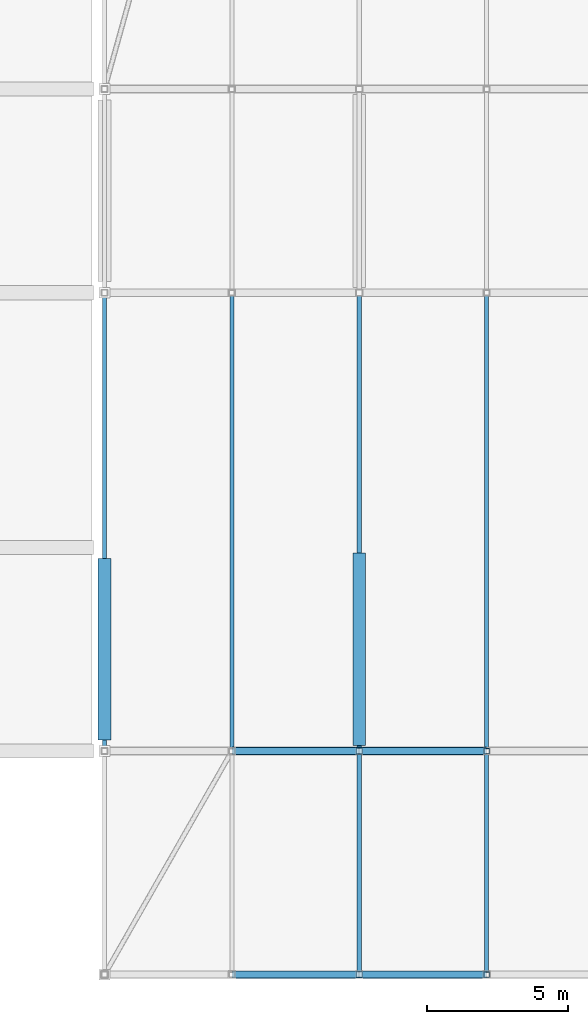
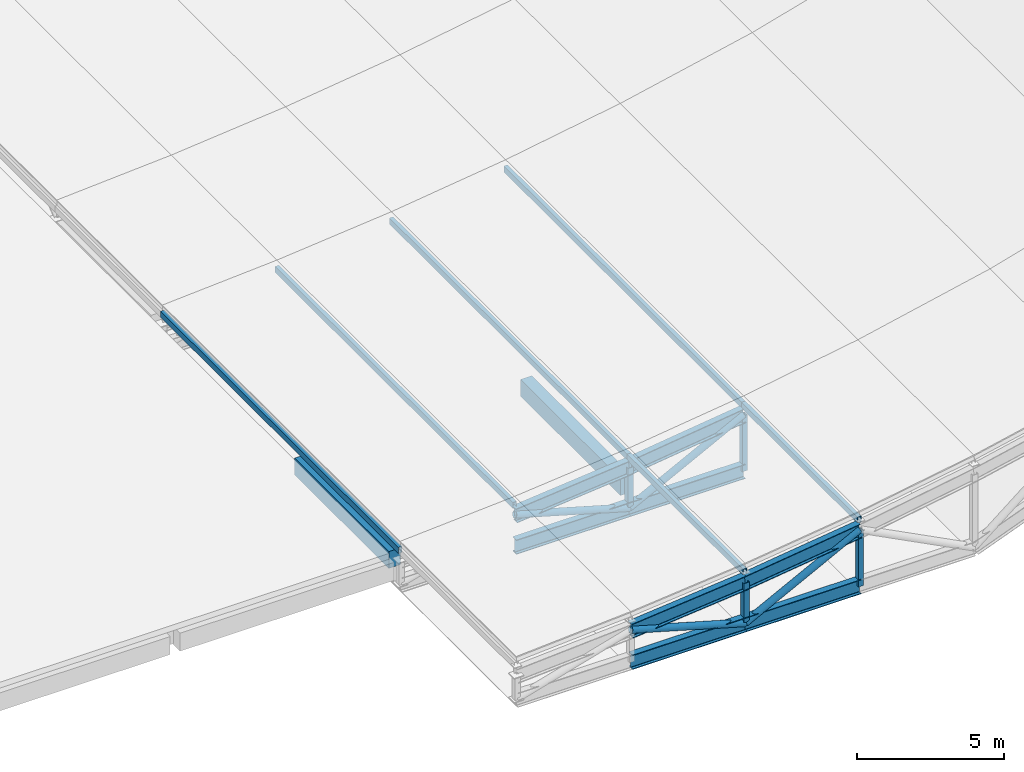
# One storey, part 2 of 24: 14 members, 10 beams.
"""IFC4 building model written with IfcOpenShell, lengths in metres."""

from ifc_helpers import new_model, si_unit, direction, frame, origin, origin_2d, place, context, subcontext, project, spatial, rectangle, hollow_rectangle, hollow_circle, i_section, extrude, material, material_profile, profile_set, type_object, element, save


model = new_model("IFC4")

# Units and contexts
model_context = context("Model", 3, precision=1e-05, world=origin(), true_north=direction((0.0, 1.0)))
body_context = subcontext(model_context, "Body", "Model", "MODEL_VIEW")
ifc_project = project(units=[si_unit("LENGTHUNIT", "METRE"), si_unit("AREAUNIT", "SQUARE_METRE"), si_unit("VOLUMEUNIT", "CUBIC_METRE"), si_unit("PLANEANGLEUNIT", "RADIAN"), si_unit("MASSUNIT", "GRAM", prefix="KILO"), si_unit("THERMODYNAMICTEMPERATUREUNIT", "KELVIN"), si_unit("POWERUNIT", "WATT")], contexts=[model_context])

# Site, building, storey
site_placement = place(None, origin())
site = spatial("IfcSite", under=ifc_project, at=site_placement, CompositionType="ELEMENT")
building_placement = place(site_placement, origin())
building = spatial("IfcBuilding", under=site, at=building_placement, Name="Sindhuravela Promenade Stadium", CompositionType="ELEMENT")
storey_placement = place(building_placement, frame((0.0, 0.0, 28.800048828125)))
storey = spatial("IfcBuildingStorey", under=building, at=storey_placement, Name="RF", CompositionType="ELEMENT", Elevation=28.800048828125)

# Beams
ifc_material_1 = material(Name="Concrete M40", Category="concrete")
ifc_material_profile_1 = material_profile(ifc_material_1, rectangle(XDim=0.449951171875, YDim=0.699951171875, at=origin_2d()), Name="RC 450x700")
ifc_profile_set_1 = profile_set([ifc_material_profile_1], Name="Concrete M40")
beam_type_1 = type_object("IfcBeamType", Name="RC-BM-450x700", PredefinedType="BEAM", material=ifc_profile_set_1)
beam_1_placement = place(storey_placement, frame((18.0, 45.389892578125, -0.590087890625), z_axis=(0.0, 1.0, 0.0), x_axis=(-1.0, 0.0, 0.0)))
element("IfcBeam", 1, at=beam_1_placement, inside=storey, type_object=beam_type_1, Name="Primary beam GB07 WEST RF", PredefinedType="BEAM", context=body_context, shape_type="SweptSolid", body=[
    extrude(rectangle(XDim=0.449951171875, YDim=0.699951171875, at=origin_2d()), origin(), (0.0, 0.0, 1.0), 6.420166015625),
])
beam_2_placement = place(storey_placement, frame((27.0, 45.193115234375, -0.590087890625), z_axis=(0.0, 1.0, 0.0), x_axis=(-1.0, 0.0, 0.0)))
element("IfcBeam", 2, at=beam_2_placement, inside=storey, type_object=beam_type_1, Name="Primary beam GB07 WEST RF", PredefinedType="BEAM", context=body_context, shape_type="SweptSolid", body=[
    extrude(rectangle(XDim=0.449951171875, YDim=0.699951171875, at=origin_2d()), origin(), (0.0, 0.0, 1.0), 6.813720703125),
])
ifc_material_2 = material(Name="Steel E350 (IS 2062 E350BR)", Category="steel")
ifc_material_profile_2 = material_profile(ifc_material_2, i_section(OverallWidth=0.25, OverallDepth=0.60009765625, WebThickness=0.01171875, FlangeThickness=0.023681640625, FilletRadius=0.01708984375, at=origin_2d()), Name="ISWB 600")
ifc_profile_set_2 = profile_set([ifc_material_profile_2], Name="Steel E350 (IS 2062 E350BR)")
beam_type_2 = type_object("IfcBeamType", Name="ST-BM-WB600", PredefinedType="USERDEFINED", material=ifc_profile_set_2)
beam_3_placement = place(storey_placement, frame((22.5, 37.10009765625, -0.106689453125), z_axis=(0.9953538541007115, 0.0, 0.09628450096905213), x_axis=(0.0, 1.0, 0.0)))
element("IfcBeam", 3, at=beam_3_placement, inside=storey, type_object=beam_type_2, Name="Roof truss RT-W01 top chord 2", ObjectType="ROOF TRUSS", PredefinedType="USERDEFINED", context=body_context, shape_type="SweptSolid", body=[
    extrude(i_section(OverallWidth=0.25, OverallDepth=0.60009765625, WebThickness=0.01171875, FlangeThickness=0.023681640625, FilletRadius=0.01708984375, at=origin_2d()), origin(), (0.0, 0.0, 1.0), 4.52099609375),
])
beam_4_placement = place(storey_placement, frame((22.5, 37.10009765625, -1.400146484375), z_axis=(1.0, 0.0, 0.0), x_axis=(0.0, 1.0, 0.0)))
element("IfcBeam", 4, at=beam_4_placement, inside=storey, type_object=beam_type_2, Name="Roof truss RT-W01 bottom chord 2", ObjectType="ROOF TRUSS", PredefinedType="USERDEFINED", context=body_context, shape_type="SweptSolid", body=[
    extrude(i_section(OverallWidth=0.25, OverallDepth=0.60009765625, WebThickness=0.01171875, FlangeThickness=0.023681640625, FilletRadius=0.01708984375, at=origin_2d()), origin(), (0.0, 0.0, 1.0), 4.5),
])
beam_5_placement = place(storey_placement, frame((27.0, 37.10009765625, 0.32861328125), z_axis=(0.9915324824363395, 0.0, 0.12985890910380443), x_axis=(0.0, 1.0, 0.0)))
element("IfcBeam", 5, at=beam_5_placement, inside=storey, type_object=beam_type_2, Name="Roof truss RT-W01 top chord 3", ObjectType="ROOF TRUSS", PredefinedType="USERDEFINED", context=body_context, shape_type="SweptSolid", body=[
    extrude(i_section(OverallWidth=0.25, OverallDepth=0.60009765625, WebThickness=0.01171875, FlangeThickness=0.023681640625, FilletRadius=0.01708984375, at=origin_2d()), origin(), (0.0, 0.0, 1.0), 4.538330078125),
])
beam_6_placement = place(storey_placement, frame((27.0, 37.10009765625, -1.400146484375), z_axis=(1.0, 0.0, 0.0), x_axis=(0.0, 1.0, 0.0)))
element("IfcBeam", 6, at=beam_6_placement, inside=storey, type_object=beam_type_2, Name="Roof truss RT-W01 bottom chord 3", ObjectType="ROOF TRUSS", PredefinedType="USERDEFINED", context=body_context, shape_type="SweptSolid", body=[
    extrude(i_section(OverallWidth=0.25, OverallDepth=0.60009765625, WebThickness=0.01171875, FlangeThickness=0.023681640625, FilletRadius=0.01708984375, at=origin_2d()), origin(), (0.0, 0.0, 1.0), 4.5),
])
beam_7_placement = place(storey_placement, frame((22.5, 45.0, -0.106689453125), z_axis=(0.9953538541007115, 0.0, 0.09628450096905213), x_axis=(0.0, 1.0, 0.0)))
element("IfcBeam", 7, at=beam_7_placement, inside=storey, type_object=beam_type_2, Name="Roof truss RT-W02 top chord 2", ObjectType="ROOF TRUSS", PredefinedType="USERDEFINED", context=body_context, shape_type="SweptSolid", body=[
    extrude(i_section(OverallWidth=0.25, OverallDepth=0.60009765625, WebThickness=0.01171875, FlangeThickness=0.023681640625, FilletRadius=0.01708984375, at=origin_2d()), origin(), (0.0, 0.0, 1.0), 4.52099609375),
])
beam_8_placement = place(storey_placement, frame((22.5, 45.0, -1.400146484375), z_axis=(1.0, 0.0, 0.0), x_axis=(0.0, 1.0, 0.0)))
element("IfcBeam", 8, at=beam_8_placement, inside=storey, type_object=beam_type_2, Name="Roof truss RT-W02 bottom chord 2", ObjectType="ROOF TRUSS", PredefinedType="USERDEFINED", context=body_context, shape_type="SweptSolid", body=[
    extrude(i_section(OverallWidth=0.25, OverallDepth=0.60009765625, WebThickness=0.01171875, FlangeThickness=0.023681640625, FilletRadius=0.01708984375, at=origin_2d()), origin(), (0.0, 0.0, 1.0), 4.5),
])
beam_9_placement = place(storey_placement, frame((27.0, 45.0, 0.32861328125), z_axis=(0.9915324824363395, 0.0, 0.12985890910380443), x_axis=(0.0, 1.0, 0.0)))
element("IfcBeam", 9, at=beam_9_placement, inside=storey, type_object=beam_type_2, Name="Roof truss RT-W02 top chord 3", ObjectType="ROOF TRUSS", PredefinedType="USERDEFINED", context=body_context, shape_type="SweptSolid", body=[
    extrude(i_section(OverallWidth=0.25, OverallDepth=0.60009765625, WebThickness=0.01171875, FlangeThickness=0.023681640625, FilletRadius=0.01708984375, at=origin_2d()), origin(), (0.0, 0.0, 1.0), 4.538330078125),
])
beam_10_placement = place(storey_placement, frame((27.0, 45.0, -1.400146484375), z_axis=(1.0, 0.0, 0.0), x_axis=(0.0, 1.0, 0.0)))
element("IfcBeam", 10, at=beam_10_placement, inside=storey, type_object=beam_type_2, Name="Roof truss RT-W02 bottom chord 3", ObjectType="ROOF TRUSS", PredefinedType="USERDEFINED", context=body_context, shape_type="SweptSolid", body=[
    extrude(i_section(OverallWidth=0.25, OverallDepth=0.60009765625, WebThickness=0.01171875, FlangeThickness=0.023681640625, FilletRadius=0.01708984375, at=origin_2d()), origin(), (0.0, 0.0, 1.0), 4.5),
])

# Members
ifc_material_profile_3 = material_profile(ifc_material_2, hollow_circle(Radius=0.136474609375, WallThickness=0.010009765625, at=origin_2d()), Name="CHS 273.0x10")
ifc_profile_set_3 = profile_set([ifc_material_profile_3], Name="Steel E350 (IS 2062 E350BR)")
member_type_1 = type_object("IfcMemberType", Name="ST-MB-CHS273", PredefinedType="BRACE", material=ifc_profile_set_3)
member_1_placement = place(storey_placement, frame((22.5, 37.10009765625, -0.106689453125), z_axis=(0.9610859178775457, 0.0, -0.2762496306920159), x_axis=(0.0, 1.0, 0.0)))
element("IfcMember", 11, at=member_1_placement, inside=storey, type_object=member_type_1, Name="Roof truss RT-W01 diagonal web 2", PredefinedType="BRACE", context=body_context, shape_type="SweptSolid", body=[
    extrude(hollow_circle(Radius=0.136474609375, WallThickness=0.010009765625, at=origin_2d()), origin(), (0.0, 0.0, 1.0), 4.68212890625),
])
member_2_placement = place(storey_placement, frame((27.0, 37.10009765625, -1.400146484375), z_axis=(0.8889799113932431, 0.0, 0.457946194589781), x_axis=(0.0, 1.0, 0.0)))
element("IfcMember", 12, at=member_2_placement, inside=storey, type_object=member_type_1, Name="Roof truss RT-W01 diagonal web 3", PredefinedType="BRACE", context=body_context, shape_type="SweptSolid", body=[
    extrude(hollow_circle(Radius=0.136474609375, WallThickness=0.010009765625, at=origin_2d()), origin(), (0.0, 0.0, 1.0), 5.06201171875),
])
member_3_placement = place(storey_placement, frame((22.5, 45.0, -0.106689453125), z_axis=(0.9610859178775457, 0.0, -0.2762496306920159), x_axis=(0.0, 1.0, 0.0)))
element("IfcMember", 13, at=member_3_placement, inside=storey, type_object=member_type_1, Name="Roof truss RT-W02 diagonal web 2", PredefinedType="BRACE", context=body_context, shape_type="SweptSolid", body=[
    extrude(hollow_circle(Radius=0.136474609375, WallThickness=0.010009765625, at=origin_2d()), origin(), (0.0, 0.0, 1.0), 4.68212890625),
])
member_4_placement = place(storey_placement, frame((27.0, 45.0, -1.400146484375), z_axis=(0.8889799113932431, 0.0, 0.457946194589781), x_axis=(0.0, 1.0, 0.0)))
element("IfcMember", 14, at=member_4_placement, inside=storey, type_object=member_type_1, Name="Roof truss RT-W02 diagonal web 3", PredefinedType="BRACE", context=body_context, shape_type="SweptSolid", body=[
    extrude(hollow_circle(Radius=0.136474609375, WallThickness=0.010009765625, at=origin_2d()), origin(), (0.0, 0.0, 1.0), 5.06201171875),
])
ifc_material_profile_4 = material_profile(ifc_material_2, hollow_rectangle(XDim=0.14990234375, YDim=0.25, WallThickness=0.010009765625, at=origin_2d()), Name="RHS 250x150x10")
ifc_profile_set_4 = profile_set([ifc_material_profile_4], Name="Steel E350 (IS 2062 E350BR)")
member_type_2 = type_object("IfcMemberType", Name="ST-MB-RHS250", PredefinedType="PURLIN", material=ifc_profile_set_4)
for number, where, z_axis, x_axis, name in (
    (15, (27.0, 37.10009765625, 0.720703125), (0.0, 1.0, 0.0), (-1.0, 0.0, 0.0), "Roof purlin PR01 W bay 1.3"),
    (16, (31.5, 37.10009765625, 1.31005859375), (0.0, 1.0, 0.0), (-1.0, 0.0, 0.0), "Roof purlin PR01 W bay 1.4"),
):
    element("IfcMember", number, at=place(storey_placement, frame(where, z_axis=z_axis, x_axis=x_axis)), inside=storey, type_object=member_type_2, Name=name, PredefinedType="PURLIN", context=body_context, shape_type="SweptSolid", body=[
        extrude(hollow_rectangle(XDim=0.14990234375, YDim=0.25, WallThickness=0.010009765625, at=origin_2d()), origin(), (0.0, 0.0, 1.0), 7.89990234375),
    ])
for number, where, z_axis, x_axis, name in (
    (17, (18.0, 45.0, -0.008056640625), (0.0, 1.0, 0.0), (-1.0, 0.0, 0.0), "Roof purlin PR01 W bay 2.1"),
    (18, (22.5, 45.0, 0.28515625), (0.0, 1.0, 0.0), (-1.0, 0.0, 0.0), "Roof purlin PR01 W bay 2.2"),
    (19, (27.0, 45.0, 0.720703125), (0.0, 1.0, 0.0), (-1.0, 0.0, 0.0), "Roof purlin PR01 W bay 2.3"),
    (20, (31.5, 45.0, 1.31005859375), (0.0, 1.0, 0.0), (-1.0, 0.0, 0.0), "Roof purlin PR01 W bay 2.4"),
):
    element("IfcMember", number, at=place(storey_placement, frame(where, z_axis=z_axis, x_axis=x_axis)), inside=storey, type_object=member_type_2, Name=name, PredefinedType="PURLIN", context=body_context, shape_type="SweptSolid", body=[
        extrude(hollow_rectangle(XDim=0.14990234375, YDim=0.25, WallThickness=0.010009765625, at=origin_2d()), origin(), (0.0, 0.0, 1.0), 16.199951171875),
    ])
ifc_material_profile_5 = material_profile(ifc_material_2, hollow_rectangle(XDim=0.199951171875, YDim=0.199951171875, WallThickness=0.010009765625, at=origin_2d()), Name="SHS 200x200x10")
ifc_profile_set_5 = profile_set([ifc_material_profile_5], Name="Steel E350 (IS 2062 E350BR)")
member_type_3 = type_object("IfcMemberType", Name="ST-MB-SHS200", PredefinedType="POST", material=ifc_profile_set_5)
for number, where, z_axis, x_axis, name in (
    (21, (31.5, 37.10009765625, -1.400146484375), (0.0, 0.0, 1.0), (1.0, 0.0, 0.0), "Roof truss RT-W01 vertical post 4"),
    (22, (31.5, 45.0, -1.400146484375), (0.0, 0.0, 1.0), (1.0, 0.0, 0.0), "Roof truss RT-W02 vertical post 4"),
):
    element("IfcMember", number, at=place(storey_placement, frame(where, z_axis=z_axis, x_axis=x_axis)), inside=storey, type_object=member_type_3, Name=name, PredefinedType="POST", context=body_context, shape_type="SweptSolid", body=[
        extrude(hollow_rectangle(XDim=0.199951171875, YDim=0.199951171875, WallThickness=0.010009765625, at=origin_2d()), origin(), (0.0, 0.0, 1.0), 2.318115234375),
    ])
ifc_material_profile_6 = material_profile(ifc_material_2, hollow_rectangle(XDim=0.219970703125, YDim=0.219970703125, WallThickness=0.011962890625, at=origin_2d()), Name="SHS 220x220x12")
ifc_profile_set_6 = profile_set([ifc_material_profile_6], Name="Steel E350 (IS 2062 E350BR)")
member_type_4 = type_object("IfcMemberType", Name="ST-MB-SHS220", PredefinedType="POST", material=ifc_profile_set_6)
for number, where, z_axis, x_axis, name in (
    (23, (27.0, 37.10009765625, -1.400146484375), (0.0, 0.0, 1.0), (1.0, 0.0, 0.0), "Roof truss RT-W01 vertical post 3"),
    (24, (27.0, 45.0, -1.400146484375), (0.0, 0.0, 1.0), (1.0, 0.0, 0.0), "Roof truss RT-W02 vertical post 3"),
):
    element("IfcMember", number, at=place(storey_placement, frame(where, z_axis=z_axis, x_axis=x_axis)), inside=storey, type_object=member_type_4, Name=name, PredefinedType="POST", context=body_context, shape_type="SweptSolid", body=[
        extrude(hollow_rectangle(XDim=0.219970703125, YDim=0.219970703125, WallThickness=0.011962890625, at=origin_2d()), origin(), (0.0, 0.0, 1.0), 1.728759765625),
    ])

save(model, "model.ifc")
